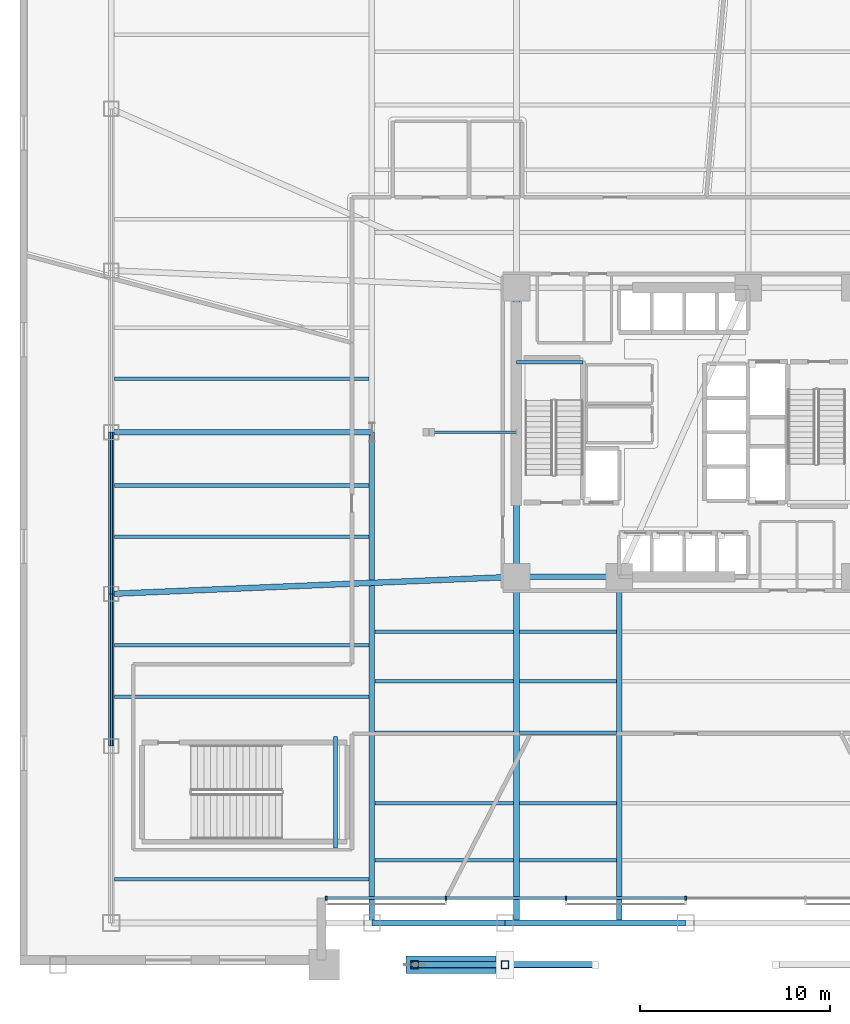
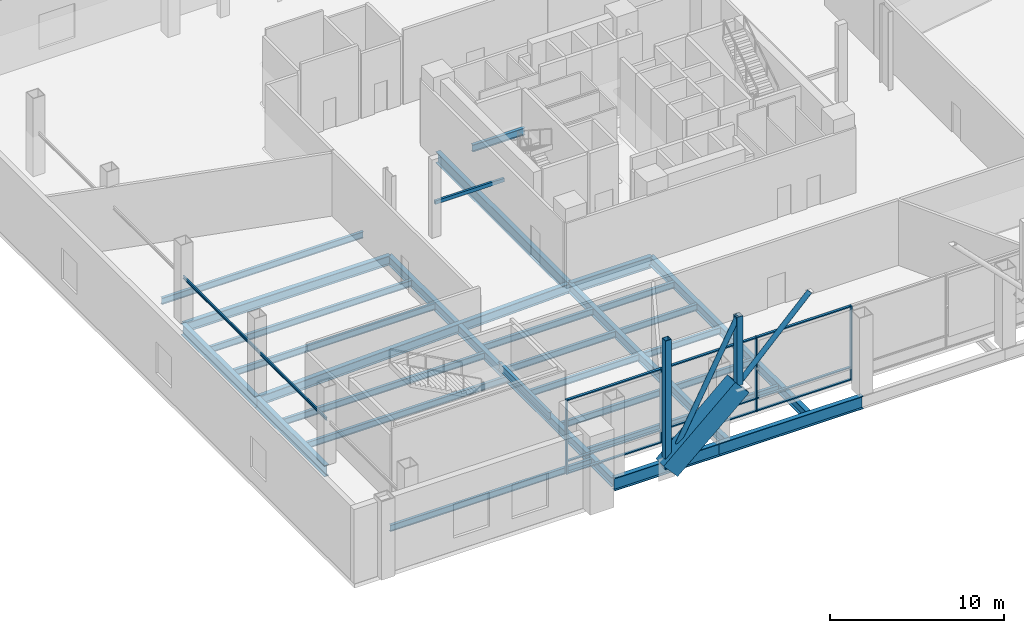
# One storey, part 3 of 16: 31 beams, 19 members, 1 element without a shape of its own.
"""IFC4 building model written with IfcOpenShell, lengths in metres."""

import ifcopenshell
import ifcopenshell.guid

model = None  # the IFC model being written
_history = None  # IfcOwnerHistory: only IFC2X3 demands one
_inside = {}  # id of a spatial element -> (the spatial element, [elements in it])
_under = {}  # id of a project, library or spatial element -> (it, [spatial elements below it])
_declared = {}  # id of a project -> (the project, [libraries it declares])
_typed = {}  # id of a type object -> (the type object, [elements of that type])
_made_of = {}  # id of a material, layer set ... -> (it, [elements and type objects made of it])


def new_model(schema):
    """Start an empty IFC model of exactly this schema.

    Asked for "IFC4X3", IfcOpenShell would pick the latest addendum, in which some entities
    have other attributes; the version numbers below select the first issue.
    IFC2X3 requires an IfcOwnerHistory on every rooted entity: one is made here for all.
    """
    global model, _history
    if schema == "IFC4X3":
        model = ifcopenshell.file(schema_version=(4, 3, 0, 0))
    else:
        model = ifcopenshell.file(schema=schema)
    _inside.clear()
    _under.clear()
    _declared.clear()
    _typed.clear()
    _made_of.clear()
    _history = None
    if model.schema == "IFC2X3":
        org = make("IfcOrganization", Name="unknown")
        user = make(
            "IfcPersonAndOrganization",
            ThePerson=make("IfcPerson", FamilyName="unknown"),
            TheOrganization=org,
        )
        app = make(
            "IfcApplication",
            ApplicationDeveloper=org,
            Version="unknown",
            ApplicationFullName="unknown",
            ApplicationIdentifier="unknown",
        )
        _history = make(
            "IfcOwnerHistory",
            OwningUser=user,
            OwningApplication=app,
            ChangeAction="ADDED",
            CreationDate=0,
        )
    return model


def make(cls, **values):
    """One entity of the class cls with the attributes given. An attribute that is None is left unset."""
    return model.create_entity(
        cls, **{name: value for name, value in values.items() if value is not None}
    )


def rooted(cls, **values):
    """An entity with a GlobalId (a new one), such as an element, a storey or a relation."""
    return make(cls, GlobalId=ifcopenshell.guid.new(), OwnerHistory=_history, **values)


def si_unit(unit_type, name, prefix=None):
    """IfcSIUnit, for example si_unit("LENGTHUNIT", "METRE", prefix="MILLI")."""
    return make("IfcSIUnit", UnitType=unit_type, Prefix=prefix, Name=name)


def assignment(units):
    """IfcUnitAssignment: the units of a project."""
    return None if units is None else make("IfcUnitAssignment", Units=units)


def point(xyz):
    """IfcCartesianPoint."""
    return None if xyz is None else make("IfcCartesianPoint", Coordinates=xyz)


def direction(xyz):
    """IfcDirection."""
    return None if xyz is None else make("IfcDirection", DirectionRatios=xyz)


def frame(location, z_axis=None, x_axis=None):
    """IfcAxis2Placement3D, a coordinate frame: its origin and axes. An axis left out is left unset."""
    return make(
        "IfcAxis2Placement3D",
        Location=point(location),
        Axis=direction(z_axis),
        RefDirection=direction(x_axis),
    )


def frame_2d(location, x_axis=None):
    """IfcAxis2Placement2D, a coordinate frame in the plane: its origin and x axis."""
    return make(
        "IfcAxis2Placement2D", Location=point(location), RefDirection=direction(x_axis)
    )


def origin():
    """The frame at (0, 0, 0) with its axes left unset."""
    return frame((0.0, 0.0, 0.0))


def origin_2d():
    """The frame at (0, 0) in the plane with its x axis left unset."""
    return frame_2d((0.0, 0.0))


def place(relative_to, where):
    """IfcLocalPlacement: puts the frame where relative to a parent placement (None: the world)."""
    return make(
        "IfcLocalPlacement", PlacementRelTo=relative_to, RelativePlacement=where
    )


def context(
    kind, dimensions, precision=None, world=None, true_north=None, identifier=None
):
    """IfcGeometricRepresentationContext, for example the 3D "Model" context."""
    return make(
        "IfcGeometricRepresentationContext",
        ContextIdentifier=identifier,
        ContextType=kind,
        CoordinateSpaceDimension=dimensions,
        Precision=precision,
        WorldCoordinateSystem=world,
        TrueNorth=true_north,
    )


def subcontext(parent, identifier, kind, view, scale=None):
    """IfcGeometricRepresentationSubContext, for example "Body" below "Model"."""
    return make(
        "IfcGeometricRepresentationSubContext",
        ContextIdentifier=identifier,
        ContextType=kind,
        ParentContext=parent,
        TargetScale=scale,
        TargetView=view,
    )


def project(units=None, contexts=None):
    """IfcProject with its units and contexts."""
    return rooted(
        "IfcProject",
        Name="project",
        RepresentationContexts=contexts,
        UnitsInContext=assignment(units),
    )


def spatial(cls, under=None, at=None, **own):
    """A site, building, storey or space (cls), placed at a placement, below another one or the project."""
    s = rooted(cls, ObjectPlacement=at, **own)
    if under is not None:
        _under.setdefault(under.id(), (under, []))[1].append(s)
    return s


def profile(cls, at=None, kind="AREA", **sizes):
    """A parametric profile (cls). Its sizes go by their IFC names, for example OverallWidth=200.0."""
    return make(cls, ProfileType=kind, Position=at, **sizes)


def rectangle(**sizes):
    """IfcRectangleProfileDef."""
    return profile("IfcRectangleProfileDef", **sizes)


def hollow_rectangle(**sizes):
    """IfcRectangleHollowProfileDef."""
    return profile("IfcRectangleHollowProfileDef", **sizes)


def hollow_circle(**sizes):
    """IfcCircleHollowProfileDef."""
    return profile("IfcCircleHollowProfileDef", **sizes)


def i_section(**sizes):
    """IfcIShapeProfileDef."""
    return profile("IfcIShapeProfileDef", **sizes)


def extrude(swept, where, along, depth):
    """IfcExtrudedAreaSolid: the profile swept, set in the frame where, extruded along a direction by depth."""
    return make(
        "IfcExtrudedAreaSolid",
        SweptArea=swept,
        Position=where,
        ExtrudedDirection=direction(along),
        Depth=depth,
    )


def shape(context_of_items, identifier, shape_type, items):
    """IfcShapeRepresentation: the items that make up one representation, for example the "Body"."""
    return make(
        "IfcShapeRepresentation",
        ContextOfItems=context_of_items,
        RepresentationIdentifier=identifier,
        RepresentationType=shape_type,
        Items=items,
    )


def material(Name=None, Category=None):
    """IfcMaterial."""
    return make("IfcMaterial", Name=Name, Category=Category)


def layer(
    of_material, thickness, ventilated=None, Name=None, Category=None, Priority=None
):
    """IfcMaterialLayer: one layer of a wall or slab, of a material (None: an air gap)."""
    return make(
        "IfcMaterialLayer",
        Material=of_material,
        LayerThickness=thickness,
        IsVentilated=ventilated,
        Name=Name,
        Category=Category,
        Priority=Priority,
    )


def layer_set(layers, Name=None):
    """IfcMaterialLayerSet."""
    return make("IfcMaterialLayerSet", MaterialLayers=layers, LayerSetName=Name)


def material_profile(
    of_material, cross_section, Name=None, Category=None, Priority=None
):
    """IfcMaterialProfile: a cross section and its material."""
    return make(
        "IfcMaterialProfile",
        Name=Name,
        Material=of_material,
        Profile=cross_section,
        Priority=Priority,
        Category=Category,
    )


def profile_set(profiles, Name=None, composite=None):
    """IfcMaterialProfileSet."""
    return make(
        "IfcMaterialProfileSet",
        Name=Name,
        MaterialProfiles=profiles,
        CompositeProfile=composite,
    )


def made_of(thing, what):
    """Note that an element or type object is made of a material, layer set ...; save() writes the relation."""
    if what is not None:
        _made_of.setdefault(what.id(), (what, []))[1].append(thing)
    return thing


def type_object(cls, material=None, **own):
    """A type object (cls), such as IfcWallType, which elements share."""
    return made_of(rooted(cls, **own), material)


def element(
    cls,
    number,
    at=None,
    inside=None,
    cuts=None,
    type_object=None,
    material=None,
    context=None,
    identifier="Body",
    shape_type=None,
    held_by="IfcProductDefinitionShape",
    body=None,
    shapes=None,
    **own,
):
    """One element of the class cls, such as IfcWall. Its Tag is "e" and its number.

    at: its placement. inside: the storey or other place that contains it. cuts: it is an
    opening in that element (IfcRelVoidsElement). A single representation is given by context,
    identifier, shape_type and body (its items); several are given by shapes. held_by: the class
    of the entity that holds the representations. save() writes the other relations.
    """
    e = rooted(cls, Tag="e%d" % number, ObjectPlacement=at, **own)
    if body is not None:
        shapes = [shape(context, identifier, shape_type, body)]
    if shapes is not None:
        e.Representation = make(held_by, Representations=shapes)
    if inside is not None:
        _inside.setdefault(inside.id(), (inside, []))[1].append(e)
    if cuts is not None:
        rooted(
            "IfcRelVoidsElement", RelatingBuildingElement=cuts, RelatedOpeningElement=e
        )
    if type_object is not None:
        _typed.setdefault(type_object.id(), (type_object, []))[1].append(e)
    return made_of(e, material)


def aggregate(whole, parts):
    """IfcRelAggregates: a whole, such as a stair, and the parts it consists of."""
    return rooted("IfcRelAggregates", RelatingObject=whole, RelatedObjects=parts)


def save(model, path):
    """Write the relations noted so far, then the file.

    IfcRelAggregates (storeys below a building ...), IfcRelContainedInSpatialStructure (elements
    in a storey), IfcRelDefinesByType, IfcRelAssociatesMaterial and IfcRelDeclares: one each for
    every whole, place, type object, material and project.
    """
    for whole, parts in _under.values():
        aggregate(whole, parts)
    for where, things in _inside.values():
        rooted(
            "IfcRelContainedInSpatialStructure",
            RelatedElements=things,
            RelatingStructure=where,
        )
    for kind, things in _typed.values():
        rooted("IfcRelDefinesByType", RelatedObjects=things, RelatingType=kind)
    for what, things in _made_of.values():
        rooted("IfcRelAssociatesMaterial", RelatedObjects=things, RelatingMaterial=what)
    for by, libraries in _declared.values():
        rooted("IfcRelDeclares", RelatingContext=by, RelatedDefinitions=libraries)
    model.write(path)


model = new_model("IFC4")

# Units and contexts
model_context = context("Model", 3, precision=1e-05, world=origin(), true_north=direction((0.0, 1.0)))
body_context = subcontext(model_context, "Body", "Model", "MODEL_VIEW")
ifc_project = project(units=[si_unit("LENGTHUNIT", "METRE"), si_unit("AREAUNIT", "SQUARE_METRE"), si_unit("VOLUMEUNIT", "CUBIC_METRE"), si_unit("PLANEANGLEUNIT", "RADIAN"), si_unit("MASSUNIT", "GRAM", prefix="KILO")], contexts=[model_context])

# Site, building, storey
site_placement = place(None, origin())
site = spatial("IfcSite", under=ifc_project, at=site_placement, CompositionType="ELEMENT")
building_placement = place(site_placement, origin())
building = spatial("IfcBuilding", under=site, at=building_placement, Name="Tharavind Bronze Gate", CompositionType="ELEMENT")
storey_placement = place(building_placement, frame((0.0, 0.0, 5.5)))
storey = spatial("IfcBuildingStorey", under=building, at=storey_placement, Name="L01", CompositionType="ELEMENT", Elevation=5.5)

# Beam
ifc_material_1 = material(Name="Steel S460", Category="steel")
ifc_material_profile_1 = material_profile(ifc_material_1, hollow_rectangle(XDim=0.89990234375, YDim=1.39990234375, WallThickness=0.054931640625, at=origin_2d()), Name="RHS1400X900X55")
ifc_profile_set_1 = profile_set([ifc_material_profile_1], Name="Steel S460")
beam_type_1 = type_object("IfcBeamType", Name="ARCH RIB GIRDER 1400X900", PredefinedType="USERDEFINED", material=ifc_profile_set_1)
beam_1_placement = place(storey_placement, frame((-14.25, -28.0, 0.927978515625), z_axis=(0.746441184014, 0.0, 0.665451394774), x_axis=(0.0, 1.0, 0.0)))
element("IfcBeam", 1, at=beam_1_placement, inside=storey, type_object=beam_type_1, Name="Monumental bronze arch rib chord 2", ObjectType="GIRDER", PredefinedType="USERDEFINED", context=body_context, shape_type="SweptSolid", body=[
    extrude(hollow_rectangle(XDim=0.89990234375, YDim=1.39990234375, WallThickness=0.054931640625, at=origin_2d()), origin(), (0.0, 0.0, 1.0), 6.363525390625),
])

# Curtain wall, members
ifc_material_2 = material(Name="Anodised Bronze Aluminium", Category="aluminium")
ifc_layer = layer(ifc_material_2, 0.219970703125)
ifc_layer_set = layer_set([ifc_layer], Name="Anodised Bronze Aluminium")
curtain_wall_type = type_object("IfcCurtainWallType", Name="UNITISED CURTAIN WALL PODIUM", PredefinedType="USERDEFINED", material=ifc_layer_set)
curtain_wall_placement = place(storey_placement, origin())
curtain_wall = element("IfcCurtainWall", 2, at=curtain_wall_placement, inside=storey, type_object=curtain_wall_type, Name="L01 unitised curtain wall podium CW-L01-ARCH", ObjectType="UNITISED CURTAIN WALL", PredefinedType="USERDEFINED")
member_type_1 = type_object("IfcMemberType", Name="CURTAIN WALL MULLION 80X220", PredefinedType="MULLION", material=ifc_material_2)
member_1_placement = place(storey_placement, frame((-18.89990234375, -24.5, 0.0), z_axis=(0.0, 0.0, 1.0), x_axis=(1.0, 0.0, 0.0)))
member_1 = element("IfcMember", 3, at=member_1_placement, type_object=member_type_1, Name="CW-L01-ARCH mullion 1", PredefinedType="MULLION", context=body_context, shape_type="SweptSolid", body=[
    extrude(rectangle(XDim=0.080078125, YDim=0.219970703125, at=origin_2d()), origin(), (0.0, 0.0, 1.0), 5.219970703125),
])
member_2_placement = place(storey_placement, frame((-12.60009765625, -24.5, 0.0), z_axis=(0.0, 0.0, 1.0), x_axis=(1.0, 0.0, 0.0)))
member_2 = element("IfcMember", 4, at=member_2_placement, type_object=member_type_1, Name="CW-L01-ARCH mullion 2", PredefinedType="MULLION", context=body_context, shape_type="SweptSolid", body=[
    extrude(rectangle(XDim=0.080078125, YDim=0.219970703125, at=origin_2d()), origin(), (0.0, 0.0, 1.0), 5.219970703125),
])
member_3_placement = place(storey_placement, frame((-6.300048828125, -24.5, 0.0), z_axis=(0.0, 0.0, 1.0), x_axis=(1.0, 0.0, 0.0)))
member_3 = element("IfcMember", 5, at=member_3_placement, type_object=member_type_1, Name="CW-L01-ARCH mullion 3", PredefinedType="MULLION", context=body_context, shape_type="SweptSolid", body=[
    extrude(rectangle(XDim=0.080078125, YDim=0.219970703125, at=origin_2d()), origin(), (0.0, 0.0, 1.0), 5.219970703125),
])
member_4_placement = place(storey_placement, frame((0.0, -24.5, 0.0), z_axis=(0.0, 0.0, 1.0), x_axis=(1.0, 0.0, 0.0)))
member_4 = element("IfcMember", 6, at=member_4_placement, type_object=member_type_1, Name="CW-L01-ARCH mullion 4", PredefinedType="MULLION", context=body_context, shape_type="SweptSolid", body=[
    extrude(rectangle(XDim=0.080078125, YDim=0.219970703125, at=origin_2d()), origin(), (0.0, 0.0, 1.0), 5.219970703125),
])
member_type_2 = type_object("IfcMemberType", Name="CURTAIN WALL TRANSOM 80X160", PredefinedType="USERDEFINED", material=ifc_material_2)
member_5_placement = place(storey_placement, frame((-15.75, -24.5, 0.0), z_axis=(0.0, 0.0, 1.0), x_axis=(1.0, 0.0, 0.0)))
member_5 = element("IfcMember", 7, at=member_5_placement, type_object=member_type_2, Name="CW-L01-ARCH transom TB1", ObjectType="TRANSOM", PredefinedType="USERDEFINED", context=body_context, shape_type="SweptSolid", body=[
    extrude(rectangle(XDim=6.23193359375, YDim=0.159912109375, at=origin_2d()), origin(), (0.0, 0.0, 1.0), 0.080078125),
])
member_6_placement = place(storey_placement, frame((-15.75, -24.5, 0.85986328125), z_axis=(0.0, 0.0, 1.0), x_axis=(1.0, 0.0, 0.0)))
member_6 = element("IfcMember", 8, at=member_6_placement, type_object=member_type_2, Name="CW-L01-ARCH transom TS1", ObjectType="TRANSOM", PredefinedType="USERDEFINED", context=body_context, shape_type="SweptSolid", body=[
    extrude(rectangle(XDim=6.23193359375, YDim=0.159912109375, at=origin_2d()), origin(), (0.0, 0.0, 1.0), 0.080078125),
])
member_7_placement = place(storey_placement, frame((-15.75, -24.5, 5.139892578125), z_axis=(0.0, 0.0, 1.0), x_axis=(1.0, 0.0, 0.0)))
member_7 = element("IfcMember", 9, at=member_7_placement, type_object=member_type_2, Name="CW-L01-ARCH transom TT1", ObjectType="TRANSOM", PredefinedType="USERDEFINED", context=body_context, shape_type="SweptSolid", body=[
    extrude(rectangle(XDim=6.23193359375, YDim=0.159912109375, at=origin_2d()), origin(), (0.0, 0.0, 1.0), 0.080078125),
])
member_8_placement = place(storey_placement, frame((-9.449951171875, -24.5, 0.0), z_axis=(0.0, 0.0, 1.0), x_axis=(1.0, 0.0, 0.0)))
member_8 = element("IfcMember", 10, at=member_8_placement, type_object=member_type_2, Name="CW-L01-ARCH transom TB2", ObjectType="TRANSOM", PredefinedType="USERDEFINED", context=body_context, shape_type="SweptSolid", body=[
    extrude(rectangle(XDim=6.23193359375, YDim=0.159912109375, at=origin_2d()), origin(), (0.0, 0.0, 1.0), 0.080078125),
])
member_9_placement = place(storey_placement, frame((-9.449951171875, -24.5, 0.85986328125), z_axis=(0.0, 0.0, 1.0), x_axis=(1.0, 0.0, 0.0)))
member_9 = element("IfcMember", 11, at=member_9_placement, type_object=member_type_2, Name="CW-L01-ARCH transom TS2", ObjectType="TRANSOM", PredefinedType="USERDEFINED", context=body_context, shape_type="SweptSolid", body=[
    extrude(rectangle(XDim=6.23193359375, YDim=0.159912109375, at=origin_2d()), origin(), (0.0, 0.0, 1.0), 0.080078125),
])
member_10_placement = place(storey_placement, frame((-9.449951171875, -24.5, 5.139892578125), z_axis=(0.0, 0.0, 1.0), x_axis=(1.0, 0.0, 0.0)))
member_10 = element("IfcMember", 12, at=member_10_placement, type_object=member_type_2, Name="CW-L01-ARCH transom TT2", ObjectType="TRANSOM", PredefinedType="USERDEFINED", context=body_context, shape_type="SweptSolid", body=[
    extrude(rectangle(XDim=6.23193359375, YDim=0.159912109375, at=origin_2d()), origin(), (0.0, 0.0, 1.0), 0.080078125),
])
member_11_placement = place(storey_placement, frame((-3.14990234375, -24.5, 0.0), z_axis=(0.0, 0.0, 1.0), x_axis=(1.0, 0.0, 0.0)))
member_11 = element("IfcMember", 13, at=member_11_placement, type_object=member_type_2, Name="CW-L01-ARCH transom TB3", ObjectType="TRANSOM", PredefinedType="USERDEFINED", context=body_context, shape_type="SweptSolid", body=[
    extrude(rectangle(XDim=6.23193359375, YDim=0.159912109375, at=origin_2d()), origin(), (0.0, 0.0, 1.0), 0.080078125),
])
member_12_placement = place(storey_placement, frame((-3.14990234375, -24.5, 0.85986328125), z_axis=(0.0, 0.0, 1.0), x_axis=(1.0, 0.0, 0.0)))
member_12 = element("IfcMember", 14, at=member_12_placement, type_object=member_type_2, Name="CW-L01-ARCH transom TS3", ObjectType="TRANSOM", PredefinedType="USERDEFINED", context=body_context, shape_type="SweptSolid", body=[
    extrude(rectangle(XDim=6.23193359375, YDim=0.159912109375, at=origin_2d()), origin(), (0.0, 0.0, 1.0), 0.080078125),
])
member_13_placement = place(storey_placement, frame((-3.14990234375, -24.5, 5.139892578125), z_axis=(0.0, 0.0, 1.0), x_axis=(1.0, 0.0, 0.0)))
member_13 = element("IfcMember", 15, at=member_13_placement, type_object=member_type_2, Name="CW-L01-ARCH transom TT3", ObjectType="TRANSOM", PredefinedType="USERDEFINED", context=body_context, shape_type="SweptSolid", body=[
    extrude(rectangle(XDim=6.23193359375, YDim=0.159912109375, at=origin_2d()), origin(), (0.0, 0.0, 1.0), 0.080078125),
])
aggregate(curtain_wall, [member_1, member_2, member_3, member_4, member_5, member_6, member_7, member_8, member_9, member_10, member_11, member_12, member_13])

# Beam
ifc_material_3 = material(Name="Steel S355", Category="steel")
ifc_material_profile_2 = material_profile(ifc_material_3, hollow_rectangle(XDim=0.14990234375, YDim=0.25, WallThickness=0.011962890625, at=origin_2d()), Name="RHS250X150X12")
ifc_profile_set_2 = profile_set([ifc_material_profile_2], Name="Steel S355")
beam_type_2 = type_object("IfcBeamType", Name="OPENING LINTEL BEAM RHS250", PredefinedType="LINTEL", material=ifc_profile_set_2)
beam_2_placement = place(storey_placement, frame((-13.5, 0.0, 2.324951171875), z_axis=(1.0, 0.0, 0.0), x_axis=(0.0, 1.0, 0.0)))
element("IfcBeam", 16, at=beam_2_placement, inside=storey, type_object=beam_type_2, Name="L01 opening lintel beam rhs250 BM-L01-LNT1", PredefinedType="LINTEL", context=body_context, shape_type="SweptSolid", body=[
    extrude(hollow_rectangle(XDim=0.14990234375, YDim=0.25, WallThickness=0.011962890625, at=origin_2d()), origin(), (0.0, 0.0, 1.0), 4.60009765625),
])

# Members
ifc_material_profile_3 = material_profile(ifc_material_1, hollow_rectangle(XDim=0.39990234375, YDim=0.39990234375, WallThickness=0.02490234375, at=origin_2d()), Name="SHS400X25")
ifc_profile_set_3 = profile_set([ifc_material_profile_3], Name="Steel S460")
member_type_3 = type_object("IfcMemberType", Name="OUTRIGGER VERTICAL STRUT SHS400", PredefinedType="STRUT", material=ifc_profile_set_3)
member_14_placement = place(storey_placement, frame((-14.25, -28.0, 0.927978515625), z_axis=(0.0, 0.0, 1.0), x_axis=(1.0, 0.0, 0.0)))
element("IfcMember", 17, at=member_14_placement, inside=storey, type_object=member_type_3, Name="Monumental arch spandrel vertical strut 1", PredefinedType="STRUT", context=body_context, shape_type="SweptSolid", body=[
    extrude(hollow_rectangle(XDim=0.39990234375, YDim=0.39990234375, WallThickness=0.02490234375, at=origin_2d()), origin(), (0.0, 0.0, 1.0), 9.06201171875),
])
member_15_placement = place(storey_placement, frame((-9.5, -28.0, 5.16259765625), z_axis=(0.0, 0.0, 1.0), x_axis=(1.0, 0.0, 0.0)))
element("IfcMember", 18, at=member_15_placement, inside=storey, type_object=member_type_3, Name="Monumental arch spandrel vertical strut 2", PredefinedType="STRUT", context=body_context, shape_type="SweptSolid", body=[
    extrude(hollow_rectangle(XDim=0.39990234375, YDim=0.39990234375, WallThickness=0.02490234375, at=origin_2d()), origin(), (0.0, 0.0, 1.0), 4.827392578125),
])
ifc_material_profile_4 = material_profile(ifc_material_1, hollow_circle(Radius=0.161865234375, WallThickness=0.01611328125, at=origin_2d()), Name="CHS323X16")
ifc_profile_set_4 = profile_set([ifc_material_profile_4], Name="Steel S460")
member_type_4 = type_object("IfcMemberType", Name="PODIUM ARCH BRACE CHS323", PredefinedType="BRACE", material=ifc_profile_set_4)
member_16_placement = place(storey_placement, frame((-14.25, -28.0, 0.927978515625), z_axis=(0.464254850329, 0.0, 0.88570166193), x_axis=(0.0, 1.0, 0.0)))
element("IfcMember", 19, at=member_16_placement, inside=storey, type_object=member_type_4, Name="Monumental arch spandrel truss diagonal 2", PredefinedType="BRACE", context=body_context, shape_type="SweptSolid", body=[
    extrude(hollow_circle(Radius=0.161865234375, WallThickness=0.01611328125, at=origin_2d()), origin(), (0.0, 0.0, 1.0), 10.2314453125),
])
member_17_placement = place(storey_placement, frame((-9.5, -28.0, 5.16259765625), z_axis=(0.701369924537, 0.0, 0.712797466996), x_axis=(0.0, 1.0, 0.0)))
element("IfcMember", 20, at=member_17_placement, inside=storey, type_object=member_type_4, Name="Monumental arch spandrel truss diagonal 3", PredefinedType="BRACE", context=body_context, shape_type="SweptSolid", body=[
    extrude(hollow_circle(Radius=0.161865234375, WallThickness=0.01611328125, at=origin_2d()), origin(), (0.0, 0.0, 1.0), 6.7724609375),
])

# Beams
ifc_material_profile_5 = material_profile(ifc_material_3, i_section(OverallWidth=0.300048828125, OverallDepth=0.64990234375, WebThickness=0.01611328125, FlangeThickness=0.031005859375, at=origin_2d()), Name="HE650B")
ifc_profile_set_5 = profile_set([ifc_material_profile_5], Name="Steel S355")
beam_type_3 = type_object("IfcBeamType", Name="PRIMARY GIRDER HE650B", PredefinedType="USERDEFINED", material=ifc_profile_set_5)
beam_3_placement = place(storey_placement, frame((-16.5, -25.800048828125, -0.60498046875), z_axis=(0.0, 1.0, 0.0), x_axis=(-1.0, 0.0, 0.0)))
element("IfcBeam", 21, at=beam_3_placement, inside=storey, type_object=beam_type_3, Name="L01 primary girder he650b BM-L01-GS1S", ObjectType="GIRDER", PredefinedType="USERDEFINED", context=body_context, shape_type="SweptSolid", body=[
    extrude(i_section(OverallWidth=0.300048828125, OverallDepth=0.64990234375, WebThickness=0.01611328125, FlangeThickness=0.031005859375, at=origin_2d()), origin(), (0.0, 0.0, 1.0), 25.800048828125),
])
for number, where, z_axis, x_axis, name in (
    (22, (-8.89990234375, -25.800048828125, -0.60498046875), (0.0, 1.0, 0.0), (-1.0, 0.0, 0.0), "L01 primary girder he650b BM-L01-GS2"),
    (23, (-3.5, -25.800048828125, -0.60498046875), (0.0, 1.0, 0.0), (-1.0, 0.0, 0.0), "L01 primary girder he650b BM-L01-GS3"),
):
    element("IfcBeam", number, at=place(storey_placement, frame(where, z_axis=z_axis, x_axis=x_axis)), inside=storey, type_object=beam_type_3, Name=name, ObjectType="GIRDER", PredefinedType="USERDEFINED", context=body_context, shape_type="SweptSolid", body=[
        extrude(i_section(OverallWidth=0.300048828125, OverallDepth=0.64990234375, WebThickness=0.01611328125, FlangeThickness=0.031005859375, at=origin_2d()), origin(), (0.0, 0.0, 1.0), 18.199951171875),
    ])
beam_4_placement = place(storey_placement, frame((-30.199951171875, -8.5, -0.60498046875), z_axis=(0.999108710794, 0.04221118354, 0.0), x_axis=(-0.04221118354, 0.999108710794, 0.0)))
element("IfcBeam", 24, at=beam_4_placement, inside=storey, type_object=beam_type_3, Name="L01 primary girder he650b BM-L01-GW1", ObjectType="GIRDER", PredefinedType="USERDEFINED", context=body_context, shape_type="SweptSolid", body=[
    extrude(i_section(OverallWidth=0.300048828125, OverallDepth=0.64990234375, WebThickness=0.01611328125, FlangeThickness=0.031005859375, at=origin_2d()), origin(), (0.0, 0.0, 1.0), 21.319091796875),
])
beam_5_placement = place(storey_placement, frame((-30.199951171875, 0.0, -0.60498046875), z_axis=(1.0, 0.0, 0.0), x_axis=(0.0, 1.0, 0.0)))
element("IfcBeam", 25, at=beam_5_placement, inside=storey, type_object=beam_type_3, Name="L01 primary girder he650b BM-L01-GW3", ObjectType="GIRDER", PredefinedType="USERDEFINED", context=body_context, shape_type="SweptSolid", body=[
    extrude(i_section(OverallWidth=0.300048828125, OverallDepth=0.64990234375, WebThickness=0.01611328125, FlangeThickness=0.031005859375, at=origin_2d()), origin(), (0.0, 0.0, 1.0), 13.699951171875),
])
ifc_material_profile_6 = material_profile(ifc_material_3, i_section(OverallWidth=0.199951171875, OverallDepth=0.5, WebThickness=0.01025390625, FlangeThickness=0.01611328125, at=origin_2d()), Name="IPE500")
ifc_profile_set_6 = profile_set([ifc_material_profile_6], Name="Steel S355")
beam_type_4 = type_object("IfcBeamType", Name="PRIMARY GIRDER IPE500", PredefinedType="USERDEFINED", material=ifc_profile_set_6)
beam_6_placement = place(storey_placement, frame((-8.89990234375, 3.679931640625, 2.300048828125), z_axis=(1.0, 0.0, 0.0), x_axis=(0.0, 1.0, 0.0)))
element("IfcBeam", 26, at=beam_6_placement, inside=storey, type_object=beam_type_4, Name="L01 primary girder ipe500 BM-LD-ST1-L01-1", ObjectType="GIRDER", PredefinedType="USERDEFINED", context=body_context, shape_type="SweptSolid", body=[
    extrude(i_section(OverallWidth=0.199951171875, OverallDepth=0.5, WebThickness=0.01025390625, FlangeThickness=0.01611328125, at=origin_2d()), origin(), (0.0, 0.0, 1.0), 3.5),
])
beam_7_placement = place(storey_placement, frame((-18.419921875, -21.85009765625, 2.300048828125), z_axis=(0.0, 1.0, 0.0), x_axis=(-1.0, 0.0, 0.0)))
element("IfcBeam", 27, at=beam_7_placement, inside=storey, type_object=beam_type_4, Name="L01 primary girder ipe500 BM-LD-ST3-L01-1", ObjectType="GIRDER", PredefinedType="USERDEFINED", context=body_context, shape_type="SweptSolid", body=[
    extrude(i_section(OverallWidth=0.199951171875, OverallDepth=0.5, WebThickness=0.01025390625, FlangeThickness=0.01611328125, at=origin_2d()), origin(), (0.0, 0.0, 1.0), 5.85009765625),
])
ifc_material_profile_7 = material_profile(ifc_material_3, i_section(OverallWidth=0.300048828125, OverallDepth=0.800048828125, WebThickness=0.017578125, FlangeThickness=0.032958984375, at=origin_2d()), Name="HE800B")
ifc_profile_set_7 = profile_set([ifc_material_profile_7], Name="Steel S355")
beam_type_5 = type_object("IfcBeamType", Name="RING GIRDER HE800B", PredefinedType="USERDEFINED", material=ifc_profile_set_7)
beam_8_placement = place(storey_placement, frame((-8.89990234375, -7.60009765625, -0.679931640625), z_axis=(1.0, 0.0, 0.0), x_axis=(0.0, 1.0, 0.0)))
element("IfcBeam", 28, at=beam_8_placement, inside=storey, type_object=beam_type_5, Name="L01 ring girder he800b BM-L01-CR1", ObjectType="GIRDER", PredefinedType="USERDEFINED", context=body_context, shape_type="SweptSolid", body=[
    extrude(i_section(OverallWidth=0.300048828125, OverallDepth=0.800048828125, WebThickness=0.017578125, FlangeThickness=0.032958984375, at=origin_2d()), origin(), (0.0, 0.0, 1.0), 5.39990234375),
])
beam_9_placement = place(storey_placement, frame((-8.89990234375, 7.60009765625, -0.679931640625), z_axis=(0.0, -1.0, 0.0), x_axis=(1.0, 0.0, 0.0)))
element("IfcBeam", 29, at=beam_9_placement, inside=storey, type_object=beam_type_5, Name="L01 ring girder he800b BM-L01-CR6", ObjectType="GIRDER", PredefinedType="USERDEFINED", context=body_context, shape_type="SweptSolid", body=[
    extrude(i_section(OverallWidth=0.300048828125, OverallDepth=0.800048828125, WebThickness=0.017578125, FlangeThickness=0.032958984375, at=origin_2d()), origin(), (0.0, 0.0, 1.0), 15.2001953125),
])
beam_10_placement = place(storey_placement, frame((-30.199951171875, -16.5, -0.679931640625), z_axis=(0.0, 1.0, 0.0), x_axis=(-1.0, 0.0, 0.0)))
element("IfcBeam", 30, at=beam_10_placement, inside=storey, type_object=beam_type_5, Name="L01 ring girder he800b BM-L01-PW2", ObjectType="GIRDER", PredefinedType="USERDEFINED", context=body_context, shape_type="SweptSolid", body=[
    extrude(i_section(OverallWidth=0.300048828125, OverallDepth=0.800048828125, WebThickness=0.017578125, FlangeThickness=0.032958984375, at=origin_2d()), origin(), (0.0, 0.0, 1.0), 8.0),
])
beam_11_placement = place(storey_placement, frame((-30.199951171875, -8.5, -0.679931640625), z_axis=(0.0, 1.0, 0.0), x_axis=(-1.0, 0.0, 0.0)))
element("IfcBeam", 31, at=beam_11_placement, inside=storey, type_object=beam_type_5, Name="L01 ring girder he800b BM-L01-PW3", ObjectType="GIRDER", PredefinedType="USERDEFINED", context=body_context, shape_type="SweptSolid", body=[
    extrude(i_section(OverallWidth=0.300048828125, OverallDepth=0.800048828125, WebThickness=0.017578125, FlangeThickness=0.032958984375, at=origin_2d()), origin(), (0.0, 0.0, 1.0), 8.5),
])
ifc_material_profile_8 = material_profile(ifc_material_3, i_section(OverallWidth=0.18994140625, OverallDepth=0.449951171875, WebThickness=0.009521484375, FlangeThickness=0.0146484375, at=origin_2d()), Name="IPE450")
ifc_profile_set_8 = profile_set([ifc_material_profile_8], Name="Steel S355")
beam_type_6 = type_object("IfcBeamType", Name="SECONDARY FLOOR JOIST IPE450", PredefinedType="JOIST", material=ifc_profile_set_8)
beam_12_placement = place(storey_placement, frame((-8.748046875, -22.5, -0.5048828125), z_axis=(1.0, 0.0, 0.0), x_axis=(0.0, 1.0, 0.0)))
element("IfcBeam", 32, at=beam_12_placement, inside=storey, type_object=beam_type_6, Name="L01 secondary floor joist ipe450 BM-L01-JSS1A", PredefinedType="JOIST", context=body_context, shape_type="SweptSolid", body=[
    extrude(i_section(OverallWidth=0.18994140625, OverallDepth=0.449951171875, WebThickness=0.009521484375, FlangeThickness=0.0146484375, at=origin_2d()), origin(), (0.0, 0.0, 1.0), 5.095947265625),
])
beam_13_placement = place(storey_placement, frame((-16.347900390625, -22.5, -0.5048828125), z_axis=(1.0, 0.0, 0.0), x_axis=(0.0, 1.0, 0.0)))
element("IfcBeam", 33, at=beam_13_placement, inside=storey, type_object=beam_type_6, Name="L01 secondary floor joist ipe450 BM-L01-JSS1W", PredefinedType="JOIST", context=body_context, shape_type="SweptSolid", body=[
    extrude(i_section(OverallWidth=0.18994140625, OverallDepth=0.449951171875, WebThickness=0.009521484375, FlangeThickness=0.0146484375, at=origin_2d()), origin(), (0.0, 0.0, 1.0), 7.2958984375),
])
beam_14_placement = place(storey_placement, frame((-8.748046875, -19.5, -0.5048828125), z_axis=(1.0, 0.0, 0.0), x_axis=(0.0, 1.0, 0.0)))
element("IfcBeam", 34, at=beam_14_placement, inside=storey, type_object=beam_type_6, Name="L01 secondary floor joist ipe450 BM-L01-JSS2A", PredefinedType="JOIST", context=body_context, shape_type="SweptSolid", body=[
    extrude(i_section(OverallWidth=0.18994140625, OverallDepth=0.449951171875, WebThickness=0.009521484375, FlangeThickness=0.0146484375, at=origin_2d()), origin(), (0.0, 0.0, 1.0), 5.095947265625),
])
beam_15_placement = place(storey_placement, frame((-16.347900390625, -19.5, -0.5048828125), z_axis=(1.0, 0.0, 0.0), x_axis=(0.0, 1.0, 0.0)))
element("IfcBeam", 35, at=beam_15_placement, inside=storey, type_object=beam_type_6, Name="L01 secondary floor joist ipe450 BM-L01-JSS2W", PredefinedType="JOIST", context=body_context, shape_type="SweptSolid", body=[
    extrude(i_section(OverallWidth=0.18994140625, OverallDepth=0.449951171875, WebThickness=0.009521484375, FlangeThickness=0.0146484375, at=origin_2d()), origin(), (0.0, 0.0, 1.0), 7.2958984375),
])
beam_16_placement = place(storey_placement, frame((-8.748046875, -15.800048828125, -0.5048828125), z_axis=(1.0, 0.0, 0.0), x_axis=(0.0, 1.0, 0.0)))
element("IfcBeam", 36, at=beam_16_placement, inside=storey, type_object=beam_type_6, Name="L01 secondary floor joist ipe450 BM-L01-JSS3A", PredefinedType="JOIST", context=body_context, shape_type="SweptSolid", body=[
    extrude(i_section(OverallWidth=0.18994140625, OverallDepth=0.449951171875, WebThickness=0.009521484375, FlangeThickness=0.0146484375, at=origin_2d()), origin(), (0.0, 0.0, 1.0), 5.095947265625),
])
beam_17_placement = place(storey_placement, frame((-16.347900390625, -15.800048828125, -0.5048828125), z_axis=(1.0, 0.0, 0.0), x_axis=(0.0, 1.0, 0.0)))
element("IfcBeam", 37, at=beam_17_placement, inside=storey, type_object=beam_type_6, Name="L01 secondary floor joist ipe450 BM-L01-JSS3W", PredefinedType="JOIST", context=body_context, shape_type="SweptSolid", body=[
    extrude(i_section(OverallWidth=0.18994140625, OverallDepth=0.449951171875, WebThickness=0.009521484375, FlangeThickness=0.0146484375, at=origin_2d()), origin(), (0.0, 0.0, 1.0), 7.2958984375),
])
beam_18_placement = place(storey_placement, frame((-8.748046875, -13.10009765625, -0.5048828125), z_axis=(1.0, 0.0, 0.0), x_axis=(0.0, 1.0, 0.0)))
element("IfcBeam", 38, at=beam_18_placement, inside=storey, type_object=beam_type_6, Name="L01 secondary floor joist ipe450 BM-L01-JSS4A", PredefinedType="JOIST", context=body_context, shape_type="SweptSolid", body=[
    extrude(i_section(OverallWidth=0.18994140625, OverallDepth=0.449951171875, WebThickness=0.009521484375, FlangeThickness=0.0146484375, at=origin_2d()), origin(), (0.0, 0.0, 1.0), 5.095947265625),
])
beam_19_placement = place(storey_placement, frame((-16.347900390625, -13.10009765625, -0.5048828125), z_axis=(1.0, 0.0, 0.0), x_axis=(0.0, 1.0, 0.0)))
element("IfcBeam", 39, at=beam_19_placement, inside=storey, type_object=beam_type_6, Name="L01 secondary floor joist ipe450 BM-L01-JSS4W", PredefinedType="JOIST", context=body_context, shape_type="SweptSolid", body=[
    extrude(i_section(OverallWidth=0.18994140625, OverallDepth=0.449951171875, WebThickness=0.009521484375, FlangeThickness=0.0146484375, at=origin_2d()), origin(), (0.0, 0.0, 1.0), 7.2958984375),
])
beam_20_placement = place(storey_placement, frame((-8.748046875, -10.5, -0.5048828125), z_axis=(1.0, 0.0, 0.0), x_axis=(0.0, 1.0, 0.0)))
element("IfcBeam", 40, at=beam_20_placement, inside=storey, type_object=beam_type_6, Name="L01 secondary floor joist ipe450 BM-L01-JSS5A", PredefinedType="JOIST", context=body_context, shape_type="SweptSolid", body=[
    extrude(i_section(OverallWidth=0.18994140625, OverallDepth=0.449951171875, WebThickness=0.009521484375, FlangeThickness=0.0146484375, at=origin_2d()), origin(), (0.0, 0.0, 1.0), 5.095947265625),
])
beam_21_placement = place(storey_placement, frame((-16.347900390625, -10.5, -0.5048828125), z_axis=(1.0, 0.0, 0.0), x_axis=(0.0, 1.0, 0.0)))
element("IfcBeam", 41, at=beam_21_placement, inside=storey, type_object=beam_type_6, Name="L01 secondary floor joist ipe450 BM-L01-JSS5W", PredefinedType="JOIST", context=body_context, shape_type="SweptSolid", body=[
    extrude(i_section(OverallWidth=0.18994140625, OverallDepth=0.449951171875, WebThickness=0.009521484375, FlangeThickness=0.0146484375, at=origin_2d()), origin(), (0.0, 0.0, 1.0), 7.2958984375),
])
for number, where, z_axis, x_axis, name in (
    (42, (-30.0400390625, -23.5, -0.5048828125), (1.0, 0.0, 0.0), (0.0, 1.0, 0.0), "L01 secondary floor joist ipe450 BM-L01-JSWW1"),
    (43, (-30.0400390625, -13.89990234375, -0.5048828125), (1.0, 0.0, 0.0), (0.0, 1.0, 0.0), "L01 secondary floor joist ipe450 BM-L01-JSWW2"),
    (44, (-30.0400390625, -11.199951171875, -0.5048828125), (1.0, 0.0, 0.0), (0.0, 1.0, 0.0), "L01 secondary floor joist ipe450 BM-L01-JSWW3"),
    (45, (-30.0400390625, -5.5, -0.5048828125), (1.0, 0.0, 0.0), (0.0, 1.0, 0.0), "L01 secondary floor joist ipe450 BM-L01-JSWW4"),
    (46, (-30.0400390625, -2.800048828125, -0.5048828125), (1.0, 0.0, 0.0), (0.0, 1.0, 0.0), "L01 secondary floor joist ipe450 BM-L01-JSWW5"),
    (47, (-30.0400390625, 2.800048828125, -0.5048828125), (1.0, 0.0, 0.0), (0.0, 1.0, 0.0), "L01 secondary floor joist ipe450 BM-L01-JSWW6"),
):
    element("IfcBeam", number, at=place(storey_placement, frame(where, z_axis=z_axis, x_axis=x_axis)), inside=storey, type_object=beam_type_6, Name=name, PredefinedType="JOIST", context=body_context, shape_type="SweptSolid", body=[
        extrude(i_section(OverallWidth=0.18994140625, OverallDepth=0.449951171875, WebThickness=0.009521484375, FlangeThickness=0.0146484375, at=origin_2d()), origin(), (0.0, 0.0, 1.0), 13.387939453125),
    ])

# Members
ifc_material_profile_9 = material_profile(ifc_material_2, i_section(OverallWidth=0.10009765625, OverallDepth=0.199951171875, WebThickness=0.005615234375, FlangeThickness=0.008544921875, at=origin_2d()), Name="IPE200")
ifc_profile_set_9 = profile_set([ifc_material_profile_9], Name="Anodised Bronze Aluminium")
member_type_5 = type_object("IfcMemberType", Name="SOLAR LOUVRE BLADE", PredefinedType="USERDEFINED", material=ifc_profile_set_9)
member_18_placement = place(storey_placement, frame((-30.199951171875, -16.5, 2.949951171875), z_axis=(0.0, 1.0, 0.0), x_axis=(-1.0, 0.0, 0.0)))
element("IfcMember", 48, at=member_18_placement, inside=storey, type_object=member_type_5, Name="L01 west gallery solar louvre 2", ObjectType="SOLAR LOUVRE", PredefinedType="USERDEFINED", context=body_context, shape_type="SweptSolid", body=[
    extrude(i_section(OverallWidth=0.10009765625, OverallDepth=0.199951171875, WebThickness=0.005615234375, FlangeThickness=0.008544921875, at=origin_2d()), origin(), (0.0, 0.0, 1.0), 8.0),
])
member_19_placement = place(storey_placement, frame((-30.199951171875, -8.5, 2.949951171875), z_axis=(0.0, 1.0, 0.0), x_axis=(-1.0, 0.0, 0.0)))
element("IfcMember", 49, at=member_19_placement, inside=storey, type_object=member_type_5, Name="L01 west gallery solar louvre 3", ObjectType="SOLAR LOUVRE", PredefinedType="USERDEFINED", context=body_context, shape_type="SweptSolid", body=[
    extrude(i_section(OverallWidth=0.10009765625, OverallDepth=0.199951171875, WebThickness=0.005615234375, FlangeThickness=0.008544921875, at=origin_2d()), origin(), (0.0, 0.0, 1.0), 8.5),
])

# Beams
ifc_material_profile_10 = material_profile(ifc_material_3, i_section(OverallWidth=0.300048828125, OverallDepth=0.89990234375, WebThickness=0.0185546875, FlangeThickness=0.034912109375, at=origin_2d()), Name="HE900B")
ifc_profile_set_10 = profile_set([ifc_material_profile_10], Name="Steel S355")
beam_type_7 = type_object("IfcBeamType", Name="SPANDREL RING BEAM HE900B", PredefinedType="SPANDREL", material=ifc_profile_set_10)
beam_22_placement = place(storey_placement, frame((-16.5, -25.800048828125, -0.72998046875), z_axis=(1.0, 0.0, 0.0), x_axis=(0.0, 1.0, 0.0)))
element("IfcBeam", 50, at=beam_22_placement, inside=storey, type_object=beam_type_7, Name="L01 spandrel ring beam he900b BM-L01-PS2", PredefinedType="SPANDREL", context=body_context, shape_type="SweptSolid", body=[
    extrude(i_section(OverallWidth=0.300048828125, OverallDepth=0.89990234375, WebThickness=0.0185546875, FlangeThickness=0.034912109375, at=origin_2d()), origin(), (0.0, 0.0, 1.0), 7.0),
])
beam_23_placement = place(storey_placement, frame((-9.5, -25.800048828125, -0.72998046875), z_axis=(1.0, 0.0, 0.0), x_axis=(0.0, 1.0, 0.0)))
element("IfcBeam", 51, at=beam_23_placement, inside=storey, type_object=beam_type_7, Name="L01 spandrel ring beam he900b BM-L01-PS3", PredefinedType="SPANDREL", context=body_context, shape_type="SweptSolid", body=[
    extrude(i_section(OverallWidth=0.300048828125, OverallDepth=0.89990234375, WebThickness=0.0185546875, FlangeThickness=0.034912109375, at=origin_2d()), origin(), (0.0, 0.0, 1.0), 9.5),
])

save(model, "model.ifc")
